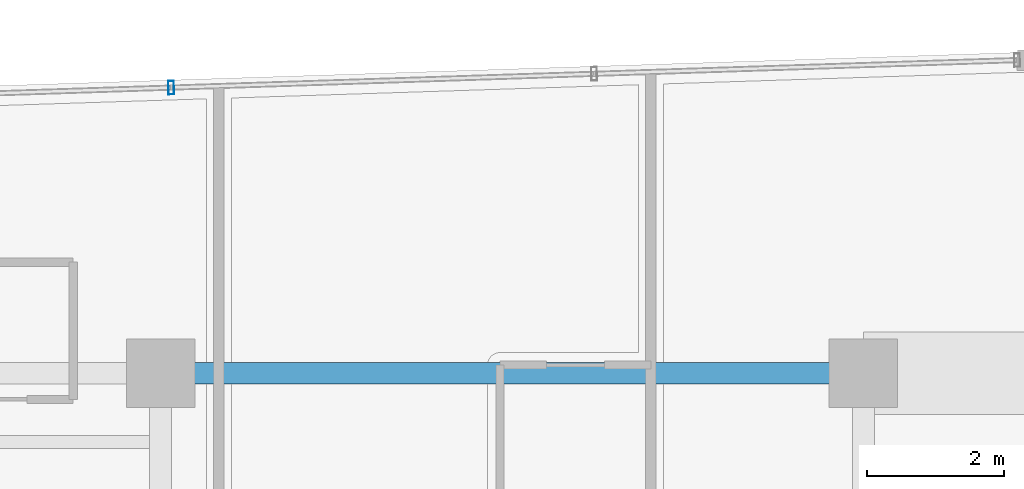
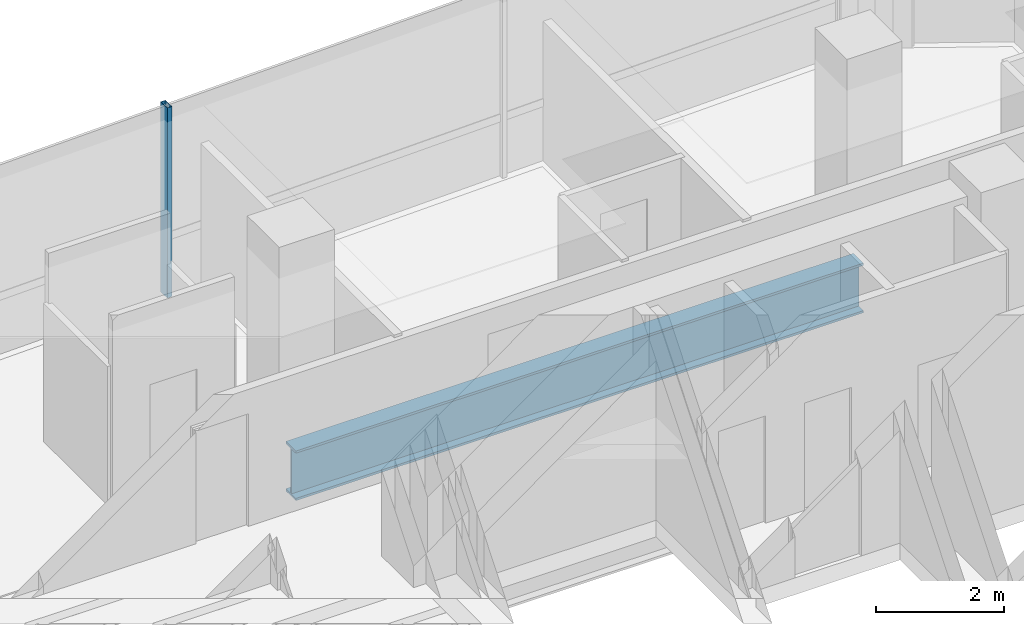
# One storey, part 18 of 36: 1 beam, 1 member, 1 element without a shape of its own.
"""IFC4 building model written with IfcOpenShell, lengths in metres."""

import ifcopenshell
import ifcopenshell.guid

model = None  # the IFC model being written
_history = None  # IfcOwnerHistory: only IFC2X3 demands one
_inside = {}  # id of a spatial element -> (the spatial element, [elements in it])
_under = {}  # id of a project, library or spatial element -> (it, [spatial elements below it])
_declared = {}  # id of a project -> (the project, [libraries it declares])
_typed = {}  # id of a type object -> (the type object, [elements of that type])
_made_of = {}  # id of a material, layer set ... -> (it, [elements and type objects made of it])


def new_model(schema):
    """Start an empty IFC model of exactly this schema.

    Asked for "IFC4X3", IfcOpenShell would pick the latest addendum, in which some entities
    have other attributes; the version numbers below select the first issue.
    IFC2X3 requires an IfcOwnerHistory on every rooted entity: one is made here for all.
    """
    global model, _history
    if schema == "IFC4X3":
        model = ifcopenshell.file(schema_version=(4, 3, 0, 0))
    else:
        model = ifcopenshell.file(schema=schema)
    _inside.clear()
    _under.clear()
    _declared.clear()
    _typed.clear()
    _made_of.clear()
    _history = None
    if model.schema == "IFC2X3":
        org = make("IfcOrganization", Name="unknown")
        user = make(
            "IfcPersonAndOrganization",
            ThePerson=make("IfcPerson", FamilyName="unknown"),
            TheOrganization=org,
        )
        app = make(
            "IfcApplication",
            ApplicationDeveloper=org,
            Version="unknown",
            ApplicationFullName="unknown",
            ApplicationIdentifier="unknown",
        )
        _history = make(
            "IfcOwnerHistory",
            OwningUser=user,
            OwningApplication=app,
            ChangeAction="ADDED",
            CreationDate=0,
        )
    return model


def make(cls, **values):
    """One entity of the class cls with the attributes given. An attribute that is None is left unset."""
    return model.create_entity(
        cls, **{name: value for name, value in values.items() if value is not None}
    )


def rooted(cls, **values):
    """An entity with a GlobalId (a new one), such as an element, a storey or a relation."""
    return make(cls, GlobalId=ifcopenshell.guid.new(), OwnerHistory=_history, **values)


def si_unit(unit_type, name, prefix=None):
    """IfcSIUnit, for example si_unit("LENGTHUNIT", "METRE", prefix="MILLI")."""
    return make("IfcSIUnit", UnitType=unit_type, Prefix=prefix, Name=name)


def assignment(units):
    """IfcUnitAssignment: the units of a project."""
    return None if units is None else make("IfcUnitAssignment", Units=units)


def point(xyz):
    """IfcCartesianPoint."""
    return None if xyz is None else make("IfcCartesianPoint", Coordinates=xyz)


def direction(xyz):
    """IfcDirection."""
    return None if xyz is None else make("IfcDirection", DirectionRatios=xyz)


def frame(location, z_axis=None, x_axis=None):
    """IfcAxis2Placement3D, a coordinate frame: its origin and axes. An axis left out is left unset."""
    return make(
        "IfcAxis2Placement3D",
        Location=point(location),
        Axis=direction(z_axis),
        RefDirection=direction(x_axis),
    )


def frame_2d(location, x_axis=None):
    """IfcAxis2Placement2D, a coordinate frame in the plane: its origin and x axis."""
    return make(
        "IfcAxis2Placement2D", Location=point(location), RefDirection=direction(x_axis)
    )


def origin():
    """The frame at (0, 0, 0) with its axes left unset."""
    return frame((0.0, 0.0, 0.0))


def origin_2d():
    """The frame at (0, 0) in the plane with its x axis left unset."""
    return frame_2d((0.0, 0.0))


def place(relative_to, where):
    """IfcLocalPlacement: puts the frame where relative to a parent placement (None: the world)."""
    return make(
        "IfcLocalPlacement", PlacementRelTo=relative_to, RelativePlacement=where
    )


def context(
    kind, dimensions, precision=None, world=None, true_north=None, identifier=None
):
    """IfcGeometricRepresentationContext, for example the 3D "Model" context."""
    return make(
        "IfcGeometricRepresentationContext",
        ContextIdentifier=identifier,
        ContextType=kind,
        CoordinateSpaceDimension=dimensions,
        Precision=precision,
        WorldCoordinateSystem=world,
        TrueNorth=true_north,
    )


def subcontext(parent, identifier, kind, view, scale=None):
    """IfcGeometricRepresentationSubContext, for example "Body" below "Model"."""
    return make(
        "IfcGeometricRepresentationSubContext",
        ContextIdentifier=identifier,
        ContextType=kind,
        ParentContext=parent,
        TargetScale=scale,
        TargetView=view,
    )


def project(units=None, contexts=None):
    """IfcProject with its units and contexts."""
    return rooted(
        "IfcProject",
        Name="project",
        RepresentationContexts=contexts,
        UnitsInContext=assignment(units),
    )


def spatial(cls, under=None, at=None, **own):
    """A site, building, storey or space (cls), placed at a placement, below another one or the project."""
    s = rooted(cls, ObjectPlacement=at, **own)
    if under is not None:
        _under.setdefault(under.id(), (under, []))[1].append(s)
    return s


def profile(cls, at=None, kind="AREA", **sizes):
    """A parametric profile (cls). Its sizes go by their IFC names, for example OverallWidth=200.0."""
    return make(cls, ProfileType=kind, Position=at, **sizes)


def hollow_rectangle(**sizes):
    """IfcRectangleHollowProfileDef."""
    return profile("IfcRectangleHollowProfileDef", **sizes)


def i_section(**sizes):
    """IfcIShapeProfileDef."""
    return profile("IfcIShapeProfileDef", **sizes)


def extrude(swept, where, along, depth):
    """IfcExtrudedAreaSolid: the profile swept, set in the frame where, extruded along a direction by depth."""
    return make(
        "IfcExtrudedAreaSolid",
        SweptArea=swept,
        Position=where,
        ExtrudedDirection=direction(along),
        Depth=depth,
    )


def shape(context_of_items, identifier, shape_type, items):
    """IfcShapeRepresentation: the items that make up one representation, for example the "Body"."""
    return make(
        "IfcShapeRepresentation",
        ContextOfItems=context_of_items,
        RepresentationIdentifier=identifier,
        RepresentationType=shape_type,
        Items=items,
    )


def source(mapping_origin, context_of_items, identifier, shape_type, items):
    """IfcRepresentationMap: a shape defined once, which mapped items show again and again."""
    return make(
        "IfcRepresentationMap",
        MappingOrigin=mapping_origin,
        MappedRepresentation=shape(context_of_items, identifier, shape_type, items),
    )


def transform(
    local_origin,
    x_axis=None,
    y_axis=None,
    z_axis=None,
    scale=None,
    scale2=None,
    scale3=None,
    uniform=True,
):
    """IfcCartesianTransformationOperator3D, or its non-uniform kind. x_axis, y_axis, z_axis: its Axis1, 2, 3."""
    if uniform:
        return make(
            "IfcCartesianTransformationOperator3D",
            Axis1=direction(x_axis),
            Axis2=direction(y_axis),
            LocalOrigin=point(local_origin),
            Scale=scale,
            Axis3=direction(z_axis),
        )
    return make(
        "IfcCartesianTransformationOperator3DnonUniform",
        Axis1=direction(x_axis),
        Axis2=direction(y_axis),
        LocalOrigin=point(local_origin),
        Scale=scale,
        Axis3=direction(z_axis),
        Scale2=scale2,
        Scale3=scale3,
    )


def mapped(mapping_source, mapping_target):
    """IfcMappedItem: shows the shape of a source again, moved by a transform."""
    return make(
        "IfcMappedItem", MappingSource=mapping_source, MappingTarget=mapping_target
    )


def material(Name=None, Category=None):
    """IfcMaterial."""
    return make("IfcMaterial", Name=Name, Category=Category)


def material_profile(
    of_material, cross_section, Name=None, Category=None, Priority=None
):
    """IfcMaterialProfile: a cross section and its material."""
    return make(
        "IfcMaterialProfile",
        Name=Name,
        Material=of_material,
        Profile=cross_section,
        Priority=Priority,
        Category=Category,
    )


def profile_set(profiles, Name=None, composite=None):
    """IfcMaterialProfileSet."""
    return make(
        "IfcMaterialProfileSet",
        Name=Name,
        MaterialProfiles=profiles,
        CompositeProfile=composite,
    )


def made_of(thing, what):
    """Note that an element or type object is made of a material, layer set ...; save() writes the relation."""
    if what is not None:
        _made_of.setdefault(what.id(), (what, []))[1].append(thing)
    return thing


def type_object(cls, material=None, **own):
    """A type object (cls), such as IfcWallType, which elements share."""
    return made_of(rooted(cls, **own), material)


def element(
    cls,
    number,
    at=None,
    inside=None,
    cuts=None,
    type_object=None,
    material=None,
    context=None,
    identifier="Body",
    shape_type=None,
    held_by="IfcProductDefinitionShape",
    body=None,
    shapes=None,
    **own,
):
    """One element of the class cls, such as IfcWall. Its Tag is "e" and its number.

    at: its placement. inside: the storey or other place that contains it. cuts: it is an
    opening in that element (IfcRelVoidsElement). A single representation is given by context,
    identifier, shape_type and body (its items); several are given by shapes. held_by: the class
    of the entity that holds the representations. save() writes the other relations.
    """
    e = rooted(cls, Tag="e%d" % number, ObjectPlacement=at, **own)
    if body is not None:
        shapes = [shape(context, identifier, shape_type, body)]
    if shapes is not None:
        e.Representation = make(held_by, Representations=shapes)
    if inside is not None:
        _inside.setdefault(inside.id(), (inside, []))[1].append(e)
    if cuts is not None:
        rooted(
            "IfcRelVoidsElement", RelatingBuildingElement=cuts, RelatedOpeningElement=e
        )
    if type_object is not None:
        _typed.setdefault(type_object.id(), (type_object, []))[1].append(e)
    return made_of(e, material)


def aggregate(whole, parts):
    """IfcRelAggregates: a whole, such as a stair, and the parts it consists of."""
    return rooted("IfcRelAggregates", RelatingObject=whole, RelatedObjects=parts)


def save(model, path):
    """Write the relations noted so far, then the file.

    IfcRelAggregates (storeys below a building ...), IfcRelContainedInSpatialStructure (elements
    in a storey), IfcRelDefinesByType, IfcRelAssociatesMaterial and IfcRelDeclares: one each for
    every whole, place, type object, material and project.
    """
    for whole, parts in _under.values():
        aggregate(whole, parts)
    for where, things in _inside.values():
        rooted(
            "IfcRelContainedInSpatialStructure",
            RelatedElements=things,
            RelatingStructure=where,
        )
    for kind, things in _typed.values():
        rooted("IfcRelDefinesByType", RelatedObjects=things, RelatingType=kind)
    for what, things in _made_of.values():
        rooted("IfcRelAssociatesMaterial", RelatedObjects=things, RelatingMaterial=what)
    for by, libraries in _declared.values():
        rooted("IfcRelDeclares", RelatingContext=by, RelatedDefinitions=libraries)
    model.write(path)


model = new_model("IFC4")

# Units and contexts
model_context = context("Model", 3, precision=1e-05, world=origin(), true_north=direction((0.0, 1.0)))
body_context = subcontext(model_context, "Body", "Model", "MODEL_VIEW")
ifc_project = project(units=[si_unit("LENGTHUNIT", "METRE"), si_unit("AREAUNIT", "SQUARE_METRE"), si_unit("VOLUMEUNIT", "CUBIC_METRE"), si_unit("PLANEANGLEUNIT", "RADIAN"), si_unit("MASSUNIT", "GRAM", prefix="KILO")], contexts=[model_context])

# Site, building, storey
site_placement = place(None, origin())
site = spatial("IfcSite", under=ifc_project, at=site_placement, CompositionType="ELEMENT")
building_placement = place(site_placement, origin())
building = spatial("IfcBuilding", under=site, at=building_placement, Name="Valdorenza Pilgrim Sanctuary Tower", CompositionType="ELEMENT")
storey_placement = place(building_placement, frame((0.0, 0.0, 176.550048828125)))
storey = spatial("IfcBuildingStorey", under=building, at=storey_placement, Name="L45", CompositionType="ELEMENT", Elevation=176.550048828125)

# Beam
ifc_material_1 = material(Name="Steel ASTM A992 Grade 50", Category="steel")
ifc_material_profile_1 = material_profile(ifc_material_1, i_section(OverallWidth=0.31005859375, OverallDepth=0.949951171875, WebThickness=0.0244140625, FlangeThickness=0.0439453125, at=origin_2d()), Name="W36X256")
ifc_profile_set_1 = profile_set([ifc_material_profile_1], Name="Steel ASTM A992 Grade 50")
beam_type = type_object("IfcBeamType", Name="STR-BM-GRD-W36B", PredefinedType="BEAM", material=ifc_profile_set_1)
shared_shape_1 = source(origin(), body_context, "Body", "SweptSolid", [
    extrude(i_section(OverallWidth=0.31005859375, OverallDepth=0.949951171875, WebThickness=0.0244140625, FlangeThickness=0.0439453125, at=origin_2d()), origin(), (0.0, 0.0, 1.0), 10.25),
])
beam_placement = place(storey_placement, frame((-22.64990234375, 14.800048828125, -0.795166015625), z_axis=(1.0, 0.0, 0.0), x_axis=(0.0, 1.0, 0.0)))
element("IfcBeam", 1, at=beam_placement, inside=storey, type_object=beam_type, Name="L45 Floor Girder CA-XC-N2", PredefinedType="BEAM", context=body_context, shape_type="MappedRepresentation", body=[
    mapped(shared_shape_1, transform((0.0, 0.0, 0.0), x_axis=(1.0, 0.0, 0.0), y_axis=(0.0, 1.0, 0.0), z_axis=(0.0, 0.0, 1.0), scale=1.0)),
])

# Curtain wall, member
ifc_material_2 = material(Name="Curtain-wall IGU glazing", Category="glass")
curtain_wall_type = type_object("IfcCurtainWallType", Name="CW-SYS-02", PredefinedType="NOTDEFINED", material=ifc_material_2)
curtain_wall_placement = place(storey_placement, origin())
curtain_wall = element("IfcCurtainWall", 2, at=curtain_wall_placement, inside=storey, type_object=curtain_wall_type, Name="L45 Curtain Wall CW-L45-1-6", PredefinedType="NOTDEFINED")
ifc_material_3 = material(Name="Anodised aluminium AW-6060", Category="aluminium")
ifc_material_profile_2 = material_profile(ifc_material_3, hollow_rectangle(XDim=0.0849609375, YDim=0.199951171875, WallThickness=0.0048828125, at=origin_2d()), Name="ALU-M 200x85x5")
ifc_profile_set_2 = profile_set([ifc_material_profile_2], Name="Anodised aluminium AW-6060")
member_type = type_object("IfcMemberType", Name="CW-MUL-02", PredefinedType="MULLION", material=ifc_profile_set_2)
shared_shape_2 = source(origin(), body_context, "Body", "SweptSolid", [
    extrude(hollow_rectangle(XDim=0.0849609375, YDim=0.199951171875, WallThickness=0.0048828125, at=origin_2d()), origin(), (0.0, 0.0, 1.0), 3.6298828125),
])
member_placement = place(storey_placement, frame((-22.495361328125, 18.966796875, 0.0), z_axis=(0.0, 0.0, 1.0), x_axis=(0.999470282811, 0.032544642846, 0.0)))
member = element("IfcMember", 3, at=member_placement, type_object=member_type, Name="CW-L45-1-6 Mullion 2", PredefinedType="MULLION", context=body_context, shape_type="MappedRepresentation", body=[
    mapped(shared_shape_2, transform((0.0, 0.0, 0.0), x_axis=(1.0, 0.0, 0.0), y_axis=(0.0, 1.0, 0.0), z_axis=(0.0, 0.0, 1.0), scale=1.0)),
])
aggregate(curtain_wall, [member])

save(model, "model.ifc")
